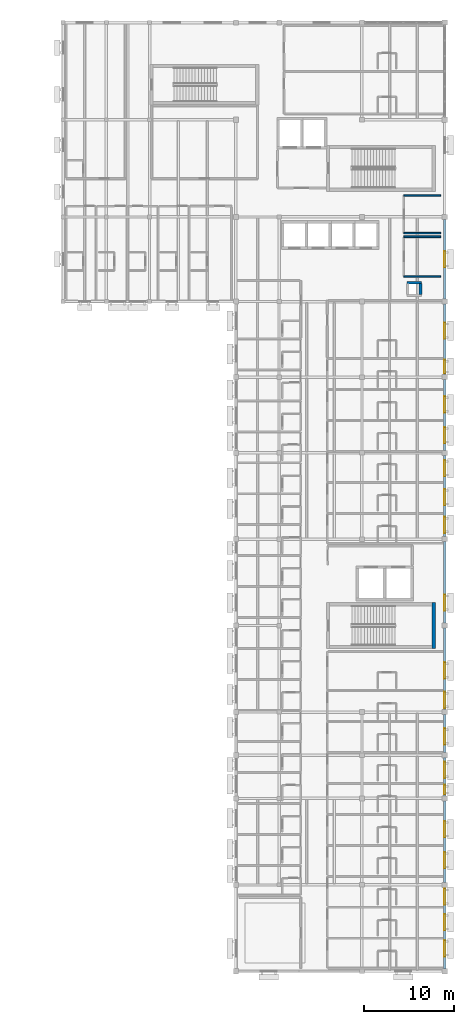
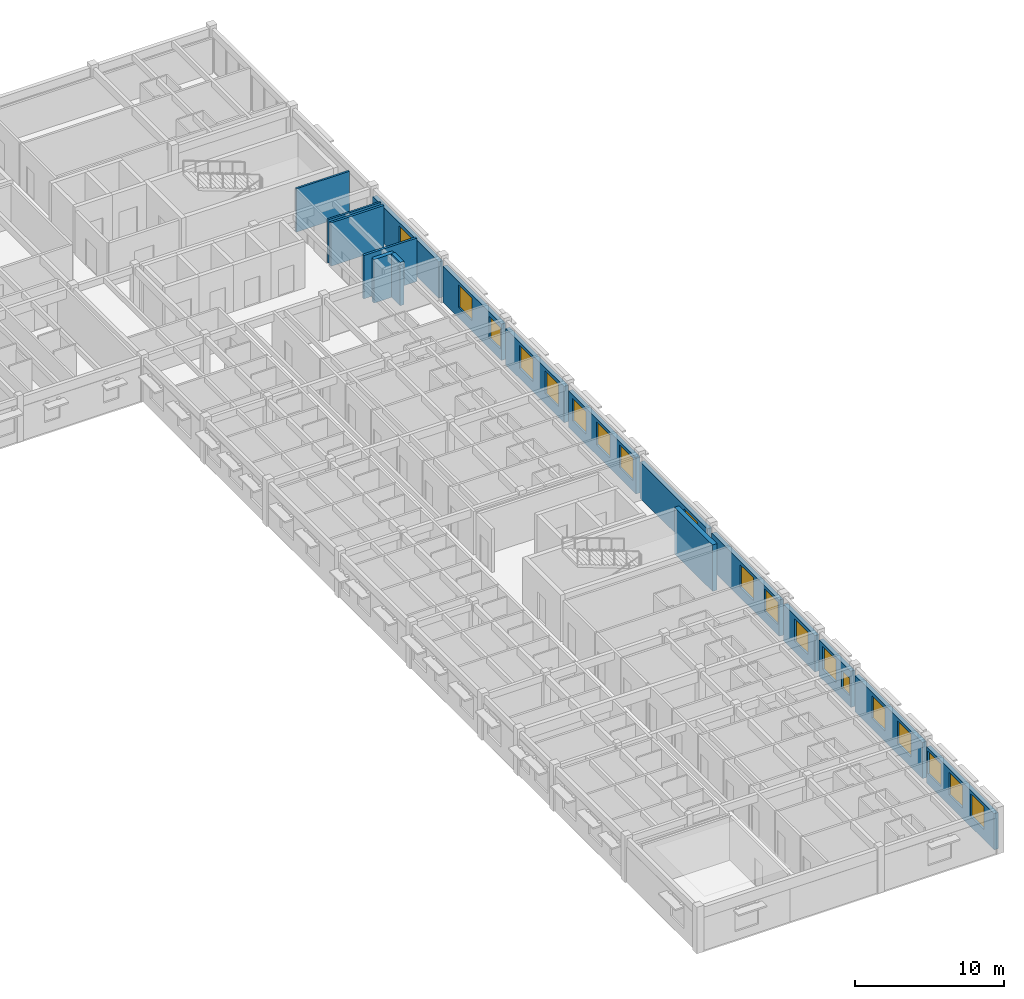
# One storey, part 20 of 31: 19 windows, 17 walls, 19 openings.
"""IFC4 building model written with IfcOpenShell, lengths in metres."""

from ifc_helpers import new_model, si_unit, direction, frame, frame_2d, origin, place, context, subcontext, project, spatial, rectangle, extrude, material, layer, layer_set, type_object, element, fill, save


model = new_model("IFC4")

# Units and contexts
model_context = context("Model", 3, precision=1e-05, world=origin(), true_north=direction((0.0, 1.0)))
body_context = subcontext(model_context, "Body", "Model", "MODEL_VIEW")
ifc_project = project(units=[si_unit("LENGTHUNIT", "METRE"), si_unit("AREAUNIT", "SQUARE_METRE"), si_unit("VOLUMEUNIT", "CUBIC_METRE"), si_unit("PLANEANGLEUNIT", "RADIAN"), si_unit("MASSUNIT", "GRAM", prefix="KILO")], contexts=[model_context])

# Site, building, storey
site_placement = place(None, origin())
site = spatial("IfcSite", under=ifc_project, at=site_placement, CompositionType="ELEMENT")
building_placement = place(site_placement, origin())
building = spatial("IfcBuilding", under=site, at=building_placement, Name="Veldera Park Congress Hotel", CompositionType="ELEMENT")
storey_placement = place(building_placement, frame((0.0, 0.0, 20.0)))
storey = spatial("IfcBuildingStorey", under=building, at=storey_placement, Name="L04", CompositionType="ELEMENT", Elevation=20.0)

# Wall, openings, windows
ifc_material_1 = material(Name="Cross-laminated timber CLT V2M1.1", Category="wood")
ifc_layer_1 = layer(ifc_material_1, 0.320068359375)
ifc_layer_set_1 = layer_set([ifc_layer_1], Name="Cross-laminated timber CLT V2M1.1")
wall_type_1 = type_object("IfcWallType", Name="EW-CLT320", PredefinedType="STANDARD", material=ifc_layer_set_1)
wall_1_placement = place(storey_placement, frame((84.0, -47.1220703125, 0.0), z_axis=(0.0, 0.0, 1.0), x_axis=(0.0, 1.0, 0.0)))
wall_1 = element("IfcWall", 1, at=wall_1_placement, inside=storey, type_object=wall_type_1, Name="L04 Exterior Wall EW3-L04-0245", PredefinedType="STANDARD", context=body_context, shape_type="SweptSolid", body=[
    extrude(rectangle(XDim=9.044189453125, YDim=0.320068359375, at=frame_2d((4.52197265625, 0.0))), origin(), (0.0, 0.0, 1.0), 2.965087890625),
])
opening_1_placement = place(wall_1_placement, frame((1.361083984375, 0.0, 0.85009765625)))
opening_1 = element("IfcOpeningElement", 2, at=opening_1_placement, cuts=wall_1, Name="Opening WIN-1800", PredefinedType="OPENING", context=body_context, shape_type="SweptSolid", body=[
    extrude(rectangle(XDim=1.800048828125, YDim=1.85009765625, at=frame_2d((0.89990234375, 0.925048828125))), frame((0.0, 0.172119140625, 0.0), z_axis=(0.0, -1.0, 0.0), x_axis=(1.0, 0.0, 0.0)), (0.0, 0.0, 1.0), 0.343994140625),
])
opening_2_placement = place(wall_1_placement, frame((4.27197265625, 0.0, 0.85009765625)))
opening_2 = element("IfcOpeningElement", 3, at=opening_2_placement, cuts=wall_1, Name="Opening WIN-1800", PredefinedType="OPENING", context=body_context, shape_type="SweptSolid", body=[
    extrude(rectangle(XDim=1.800048828125, YDim=1.85009765625, at=frame_2d((0.89990234375, 0.925048828125))), frame((0.0, 0.172119140625, 0.0), z_axis=(0.0, -1.0, 0.0), x_axis=(1.0, 0.0, 0.0)), (0.0, 0.0, 1.0), 0.343994140625),
])
opening_3_placement = place(wall_1_placement, frame((7.097900390625, 0.0, 0.85009765625)))
opening_3 = element("IfcOpeningElement", 4, at=opening_3_placement, cuts=wall_1, Name="Opening WIN-1800", PredefinedType="OPENING", context=body_context, shape_type="SweptSolid", body=[
    extrude(rectangle(XDim=1.800048828125, YDim=1.85009765625, at=frame_2d((0.89990234375, 0.925048828125))), frame((0.0, 0.172119140625, 0.0), z_axis=(0.0, -1.0, 0.0), x_axis=(1.0, 0.0, 0.0)), (0.0, 0.0, 1.0), 0.343994140625),
])
ifc_material_2 = material(Name="Low-E Triple Insulating Glass Unit (SHGC 0.22)", Category="glass")
window_type_1 = type_object("IfcWindowType", Name="WIN-1800", PartitioningType="SINGLE_PANEL", PredefinedType="WINDOW", material=ifc_material_2)
window_1_placement = place(opening_1_placement, origin())
window_1 = element("IfcWindow", 5, at=window_1_placement, inside=storey, type_object=window_type_1, Name="L04 Window WIN-1800 201", OverallHeight=1.85009765625, OverallWidth=1.800048828125, PartitioningType="SINGLE_PANEL", PredefinedType="WINDOW", context=body_context, shape_type="SweptSolid", body=[
    extrude(rectangle(XDim=1.800048828125, YDim=1.85009765625, at=frame_2d((0.89990234375, 0.925048828125))), frame((0.0, 0.030029296875, 0.0), z_axis=(0.0, -1.0, 0.0), x_axis=(1.0, 0.0, 0.0)), (0.0, 0.0, 1.0), 0.06005859375),
])
fill(opening_1, window_1)
window_2_placement = place(opening_2_placement, origin())
window_2 = element("IfcWindow", 6, at=window_2_placement, inside=storey, type_object=window_type_1, Name="L04 Window WIN-1800 457", OverallHeight=1.85009765625, OverallWidth=1.800048828125, PartitioningType="SINGLE_PANEL", PredefinedType="WINDOW", context=body_context, shape_type="SweptSolid", body=[
    extrude(rectangle(XDim=1.800048828125, YDim=1.85009765625, at=frame_2d((0.89990234375, 0.925048828125))), frame((0.0, 0.030029296875, 0.0), z_axis=(0.0, -1.0, 0.0), x_axis=(1.0, 0.0, 0.0)), (0.0, 0.0, 1.0), 0.06005859375),
])
fill(opening_2, window_2)
window_3_placement = place(opening_3_placement, origin())
window_3 = element("IfcWindow", 7, at=window_3_placement, inside=storey, type_object=window_type_1, Name="L04 Window WIN-1800 458", OverallHeight=1.85009765625, OverallWidth=1.800048828125, PartitioningType="SINGLE_PANEL", PredefinedType="WINDOW", context=body_context, shape_type="SweptSolid", body=[
    extrude(rectangle(XDim=1.800048828125, YDim=1.85009765625, at=frame_2d((0.89990234375, 0.925048828125))), frame((0.0, 0.030029296875, 0.0), z_axis=(0.0, -1.0, 0.0), x_axis=(1.0, 0.0, 0.0)), (0.0, 0.0, 1.0), 0.06005859375),
])
fill(opening_3, window_3)

wall_2_placement = place(storey_placement, frame((84.0, -37.52197265625, 0.0), z_axis=(0.0, 0.0, 1.0), x_axis=(0.0, 1.0, 0.0)))
wall_2 = element("IfcWall", 8, at=wall_2_placement, inside=storey, type_object=wall_type_1, Name="L04 Exterior Wall EW3-L04-0246", PredefinedType="STANDARD", context=body_context, shape_type="SweptSolid", body=[
    extrude(rectangle(XDim=9.0439453125, YDim=0.320068359375, at=frame_2d((4.52197265625, 0.0))), origin(), (0.0, 0.0, 1.0), 2.965087890625),
])
opening_4_placement = place(wall_2_placement, frame((1.552001953125, 0.0, 0.85009765625)))
opening_4 = element("IfcOpeningElement", 9, at=opening_4_placement, cuts=wall_2, Name="Opening WIN-1800", PredefinedType="OPENING", context=body_context, shape_type="SweptSolid", body=[
    extrude(rectangle(XDim=1.800048828125, YDim=1.85009765625, at=frame_2d((0.89990234375, 0.925048828125))), frame((0.0, 0.172119140625, 0.0), z_axis=(0.0, -1.0, 0.0), x_axis=(1.0, 0.0, 0.0)), (0.0, 0.0, 1.0), 0.343994140625),
])
opening_5_placement = place(wall_2_placement, frame((4.991943359375, 0.0, 0.85009765625)))
opening_5 = element("IfcOpeningElement", 10, at=opening_5_placement, cuts=wall_2, Name="Opening WIN-1800", PredefinedType="OPENING", context=body_context, shape_type="SweptSolid", body=[
    extrude(rectangle(XDim=1.800048828125, YDim=1.85009765625, at=frame_2d((0.89990234375, 0.925048828125))), frame((0.0, 0.172119140625, 0.0), z_axis=(0.0, -1.0, 0.0), x_axis=(1.0, 0.0, 0.0)), (0.0, 0.0, 1.0), 0.343994140625),
])
window_4_placement = place(opening_4_placement, origin())
window_4 = element("IfcWindow", 11, at=window_4_placement, inside=storey, type_object=window_type_1, Name="L04 Window WIN-1800 459", OverallHeight=1.85009765625, OverallWidth=1.800048828125, PartitioningType="SINGLE_PANEL", PredefinedType="WINDOW", context=body_context, shape_type="SweptSolid", body=[
    extrude(rectangle(XDim=1.800048828125, YDim=1.85009765625, at=frame_2d((0.89990234375, 0.925048828125))), frame((0.0, 0.030029296875, 0.0), z_axis=(0.0, -1.0, 0.0), x_axis=(1.0, 0.0, 0.0)), (0.0, 0.0, 1.0), 0.06005859375),
])
fill(opening_4, window_4)
window_5_placement = place(opening_5_placement, origin())
window_5 = element("IfcWindow", 12, at=window_5_placement, inside=storey, type_object=window_type_1, Name="L04 Window WIN-1800 460", OverallHeight=1.85009765625, OverallWidth=1.800048828125, PartitioningType="SINGLE_PANEL", PredefinedType="WINDOW", context=body_context, shape_type="SweptSolid", body=[
    extrude(rectangle(XDim=1.800048828125, YDim=1.85009765625, at=frame_2d((0.89990234375, 0.925048828125))), frame((0.0, 0.030029296875, 0.0), z_axis=(0.0, -1.0, 0.0), x_axis=(1.0, 0.0, 0.0)), (0.0, 0.0, 1.0), 0.06005859375),
])
fill(opening_5, window_5)

wall_3_placement = place(storey_placement, frame((84.0, -27.922119140625, 0.0), z_axis=(0.0, 0.0, 1.0), x_axis=(0.0, 1.0, 0.0)))
wall_3 = element("IfcWall", 13, at=wall_3_placement, inside=storey, type_object=wall_type_1, Name="L04 Exterior Wall EW3-L04-0247", PredefinedType="STANDARD", context=body_context, shape_type="SweptSolid", body=[
    extrude(rectangle(XDim=4.244140625, YDim=0.320068359375, at=frame_2d((2.1220703125, 0.0))), origin(), (0.0, 0.0, 1.0), 2.965087890625),
])
opening_6_placement = place(wall_3_placement, frame((0.1708984375, 0.0, 0.85009765625)))
opening_6 = element("IfcOpeningElement", 14, at=opening_6_placement, cuts=wall_3, Name="Opening WIN-1050", PredefinedType="OPENING", context=body_context, shape_type="SweptSolid", body=[
    extrude(rectangle(XDim=1.050048828125, YDim=1.449951171875, at=frame_2d((0.52490234375, 0.72509765625))), frame((0.0, 0.172119140625, 0.0), z_axis=(0.0, -1.0, 0.0), x_axis=(1.0, 0.0, 0.0)), (0.0, 0.0, 1.0), 0.343994140625),
])
opening_7_placement = place(wall_3_placement, frame((1.97802734375, 0.0, 0.85009765625)))
opening_7 = element("IfcOpeningElement", 15, at=opening_7_placement, cuts=wall_3, Name="Opening WIN-1800", PredefinedType="OPENING", context=body_context, shape_type="SweptSolid", body=[
    extrude(rectangle(XDim=1.800048828125, YDim=1.85009765625, at=frame_2d((0.89990234375, 0.925048828125))), frame((0.0, 0.172119140625, 0.0), z_axis=(0.0, -1.0, 0.0), x_axis=(1.0, 0.0, 0.0)), (0.0, 0.0, 1.0), 0.343994140625),
])
window_type_2 = type_object("IfcWindowType", Name="WIN-1050", PartitioningType="SINGLE_PANEL", PredefinedType="WINDOW", material=ifc_material_2)
window_6_placement = place(opening_6_placement, origin())
window_6 = element("IfcWindow", 16, at=window_6_placement, inside=storey, type_object=window_type_2, Name="L04 Window WIN-1050 461", OverallHeight=1.449951171875, OverallWidth=1.050048828125, PartitioningType="SINGLE_PANEL", PredefinedType="WINDOW", context=body_context, shape_type="SweptSolid", body=[
    extrude(rectangle(XDim=1.050048828125, YDim=1.449951171875, at=frame_2d((0.52490234375, 0.72509765625))), frame((0.0, 0.030029296875, 0.0), z_axis=(0.0, -1.0, 0.0), x_axis=(1.0, 0.0, 0.0)), (0.0, 0.0, 1.0), 0.06005859375),
])
fill(opening_6, window_6)
window_7_placement = place(opening_7_placement, origin())
window_7 = element("IfcWindow", 17, at=window_7_placement, inside=storey, type_object=window_type_1, Name="L04 Window WIN-1800 462", OverallHeight=1.85009765625, OverallWidth=1.800048828125, PartitioningType="SINGLE_PANEL", PredefinedType="WINDOW", context=body_context, shape_type="SweptSolid", body=[
    extrude(rectangle(XDim=1.800048828125, YDim=1.85009765625, at=frame_2d((0.89990234375, 0.925048828125))), frame((0.0, 0.030029296875, 0.0), z_axis=(0.0, -1.0, 0.0), x_axis=(1.0, 0.0, 0.0)), (0.0, 0.0, 1.0), 0.06005859375),
])
fill(opening_7, window_7)

# Wall, opening, window
wall_4_placement = place(storey_placement, frame((84.0, -23.1220703125, 0.0), z_axis=(0.0, 0.0, 1.0), x_axis=(0.0, 1.0, 0.0)))
wall_4 = element("IfcWall", 18, at=wall_4_placement, inside=storey, type_object=wall_type_1, Name="L04 Exterior Wall EW3-L04-0248", PredefinedType="STANDARD", context=body_context, shape_type="SweptSolid", body=[
    extrude(rectangle(XDim=4.244140625, YDim=0.320068359375, at=frame_2d((2.1220703125, 0.0))), origin(), (0.0, 0.0, 1.0), 2.965087890625),
])
opening_8_placement = place(wall_4_placement, frame((0.912109375, 0.0, 0.85009765625)))
opening_8 = element("IfcOpeningElement", 19, at=opening_8_placement, cuts=wall_4, Name="Opening WIN-1800", PredefinedType="OPENING", context=body_context, shape_type="SweptSolid", body=[
    extrude(rectangle(XDim=1.800048828125, YDim=1.85009765625, at=frame_2d((0.89990234375, 0.925048828125))), frame((0.0, 0.172119140625, 0.0), z_axis=(0.0, -1.0, 0.0), x_axis=(1.0, 0.0, 0.0)), (0.0, 0.0, 1.0), 0.343994140625),
])
window_8_placement = place(opening_8_placement, origin())
window_8 = element("IfcWindow", 20, at=window_8_placement, inside=storey, type_object=window_type_1, Name="L04 Window WIN-1800 463", OverallHeight=1.85009765625, OverallWidth=1.800048828125, PartitioningType="SINGLE_PANEL", PredefinedType="WINDOW", context=body_context, shape_type="SweptSolid", body=[
    extrude(rectangle(XDim=1.800048828125, YDim=1.85009765625, at=frame_2d((0.89990234375, 0.925048828125))), frame((0.0, 0.030029296875, 0.0), z_axis=(0.0, -1.0, 0.0), x_axis=(1.0, 0.0, 0.0)), (0.0, 0.0, 1.0), 0.06005859375),
])
fill(opening_8, window_8)

# Wall, openings, windows
wall_5_placement = place(storey_placement, frame((84.0, -18.322021484375, 0.0), z_axis=(0.0, 0.0, 1.0), x_axis=(0.0, 1.0, 0.0)))
wall_5 = element("IfcWall", 21, at=wall_5_placement, inside=storey, type_object=wall_type_1, Name="L04 Exterior Wall EW3-L04-0249", PredefinedType="STANDARD", context=body_context, shape_type="SweptSolid", body=[
    extrude(rectangle(XDim=9.0439453125, YDim=0.320068359375, at=frame_2d((4.52197265625, 0.0))), origin(), (0.0, 0.0, 1.0), 2.965087890625),
])
opening_9_placement = place(wall_5_placement, frame((0.156005859375, 0.0, 0.85009765625)))
opening_9 = element("IfcOpeningElement", 22, at=opening_9_placement, cuts=wall_5, Name="Opening WIN-1800", PredefinedType="OPENING", context=body_context, shape_type="SweptSolid", body=[
    extrude(rectangle(XDim=1.800048828125, YDim=1.85009765625, at=frame_2d((0.89990234375, 0.925048828125))), frame((0.0, 0.172119140625, 0.0), z_axis=(0.0, -1.0, 0.0), x_axis=(1.0, 0.0, 0.0)), (0.0, 0.0, 1.0), 0.343994140625),
])
opening_10_placement = place(wall_5_placement, frame((3.44189453125, 0.0, 0.85009765625)))
opening_10 = element("IfcOpeningElement", 23, at=opening_10_placement, cuts=wall_5, Name="Opening WIN-1800", PredefinedType="OPENING", context=body_context, shape_type="SweptSolid", body=[
    extrude(rectangle(XDim=1.800048828125, YDim=1.85009765625, at=frame_2d((0.89990234375, 0.925048828125))), frame((0.0, 0.172119140625, 0.0), z_axis=(0.0, -1.0, 0.0), x_axis=(1.0, 0.0, 0.0)), (0.0, 0.0, 1.0), 0.343994140625),
])
window_9_placement = place(opening_9_placement, origin())
window_9 = element("IfcWindow", 24, at=window_9_placement, inside=storey, type_object=window_type_1, Name="L04 Window WIN-1800 464", OverallHeight=1.85009765625, OverallWidth=1.800048828125, PartitioningType="SINGLE_PANEL", PredefinedType="WINDOW", context=body_context, shape_type="SweptSolid", body=[
    extrude(rectangle(XDim=1.800048828125, YDim=1.85009765625, at=frame_2d((0.89990234375, 0.925048828125))), frame((0.0, 0.030029296875, 0.0), z_axis=(0.0, -1.0, 0.0), x_axis=(1.0, 0.0, 0.0)), (0.0, 0.0, 1.0), 0.06005859375),
])
fill(opening_9, window_9)
window_10_placement = place(opening_10_placement, origin())
window_10 = element("IfcWindow", 25, at=window_10_placement, inside=storey, type_object=window_type_1, Name="L04 Window WIN-1800 465", OverallHeight=1.85009765625, OverallWidth=1.800048828125, PartitioningType="SINGLE_PANEL", PredefinedType="WINDOW", context=body_context, shape_type="SweptSolid", body=[
    extrude(rectangle(XDim=1.800048828125, YDim=1.85009765625, at=frame_2d((0.89990234375, 0.925048828125))), frame((0.0, 0.030029296875, 0.0), z_axis=(0.0, -1.0, 0.0), x_axis=(1.0, 0.0, 0.0)), (0.0, 0.0, 1.0), 0.06005859375),
])
fill(opening_10, window_10)

# Wall, opening, window
wall_6_placement = place(storey_placement, frame((84.0, -8.721923828125, 0.0), z_axis=(0.0, 0.0, 1.0), x_axis=(0.0, 1.0, 0.0)))
wall_6 = element("IfcWall", 26, at=wall_6_placement, inside=storey, type_object=wall_type_1, Name="L04 Exterior Wall EW3-L04-0250", PredefinedType="STANDARD", context=body_context, shape_type="SweptSolid", body=[
    extrude(rectangle(XDim=9.0439453125, YDim=0.320068359375, at=frame_2d((4.52197265625, 0.0))), origin(), (0.0, 0.0, 1.0), 2.965087890625),
])
opening_11_placement = place(wall_6_placement, frame((1.361083984375, 0.0, 0.85009765625)))
opening_11 = element("IfcOpeningElement", 27, at=opening_11_placement, cuts=wall_6, Name="Opening WIN-1800", PredefinedType="OPENING", context=body_context, shape_type="SweptSolid", body=[
    extrude(rectangle(XDim=1.800048828125, YDim=1.85009765625, at=frame_2d((0.89990234375, 0.925048828125))), frame((0.0, 0.172119140625, 0.0), z_axis=(0.0, -1.0, 0.0), x_axis=(1.0, 0.0, 0.0)), (0.0, 0.0, 1.0), 0.343994140625),
])
window_11_placement = place(opening_11_placement, origin())
window_11 = element("IfcWindow", 28, at=window_11_placement, inside=storey, type_object=window_type_1, Name="L04 Window WIN-1800 202", OverallHeight=1.85009765625, OverallWidth=1.800048828125, PartitioningType="SINGLE_PANEL", PredefinedType="WINDOW", context=body_context, shape_type="SweptSolid", body=[
    extrude(rectangle(XDim=1.800048828125, YDim=1.85009765625, at=frame_2d((0.89990234375, 0.925048828125))), frame((0.0, 0.030029296875, 0.0), z_axis=(0.0, -1.0, 0.0), x_axis=(1.0, 0.0, 0.0)), (0.0, 0.0, 1.0), 0.06005859375),
])
fill(opening_11, window_11)

# Wall, openings, windows
wall_7_placement = place(storey_placement, frame((84.0, 0.8779296875, 0.0), z_axis=(0.0, 0.0, 1.0), x_axis=(0.0, 1.0, 0.0)))
wall_7 = element("IfcWall", 29, at=wall_7_placement, inside=storey, type_object=wall_type_1, Name="L04 Exterior Wall EW3-L04-0251", PredefinedType="STANDARD", context=body_context, shape_type="SweptSolid", body=[
    extrude(rectangle(XDim=9.044189453125, YDim=0.320068359375, at=frame_2d((4.52197265625, 0.0))), origin(), (0.0, 0.0, 1.0), 2.965087890625),
])
opening_12_placement = place(wall_7_placement, frame((0.39599609375, 0.0, 0.85009765625)))
opening_12 = element("IfcOpeningElement", 30, at=opening_12_placement, cuts=wall_7, Name="Opening WIN-1800", PredefinedType="OPENING", context=body_context, shape_type="SweptSolid", body=[
    extrude(rectangle(XDim=1.800048828125, YDim=1.85009765625, at=frame_2d((0.89990234375, 0.925048828125))), frame((0.0, 0.172119140625, 0.0), z_axis=(0.0, -1.0, 0.0), x_axis=(1.0, 0.0, 0.0)), (0.0, 0.0, 1.0), 0.343994140625),
])
opening_13_placement = place(wall_7_placement, frame((3.471923828125, 0.0, 0.85009765625)))
opening_13 = element("IfcOpeningElement", 31, at=opening_13_placement, cuts=wall_7, Name="Opening WIN-1800", PredefinedType="OPENING", context=body_context, shape_type="SweptSolid", body=[
    extrude(rectangle(XDim=1.800048828125, YDim=1.85009765625, at=frame_2d((0.89990234375, 0.925048828125))), frame((0.0, 0.172119140625, 0.0), z_axis=(0.0, -1.0, 0.0), x_axis=(1.0, 0.0, 0.0)), (0.0, 0.0, 1.0), 0.343994140625),
])
opening_14_placement = place(wall_7_placement, frame((6.697998046875, 0.0, 0.85009765625)))
opening_14 = element("IfcOpeningElement", 32, at=opening_14_placement, cuts=wall_7, Name="Opening WIN-1800", PredefinedType="OPENING", context=body_context, shape_type="SweptSolid", body=[
    extrude(rectangle(XDim=1.800048828125, YDim=1.85009765625, at=frame_2d((0.89990234375, 0.925048828125))), frame((0.0, 0.172119140625, 0.0), z_axis=(0.0, -1.0, 0.0), x_axis=(1.0, 0.0, 0.0)), (0.0, 0.0, 1.0), 0.343994140625),
])
window_12_placement = place(opening_12_placement, origin())
window_12 = element("IfcWindow", 33, at=window_12_placement, inside=storey, type_object=window_type_1, Name="L04 Window WIN-1800 466", OverallHeight=1.85009765625, OverallWidth=1.800048828125, PartitioningType="SINGLE_PANEL", PredefinedType="WINDOW", context=body_context, shape_type="SweptSolid", body=[
    extrude(rectangle(XDim=1.800048828125, YDim=1.85009765625, at=frame_2d((0.89990234375, 0.925048828125))), frame((0.0, 0.030029296875, 0.0), z_axis=(0.0, -1.0, 0.0), x_axis=(1.0, 0.0, 0.0)), (0.0, 0.0, 1.0), 0.06005859375),
])
fill(opening_12, window_12)
window_13_placement = place(opening_13_placement, origin())
window_13 = element("IfcWindow", 34, at=window_13_placement, inside=storey, type_object=window_type_1, Name="L04 Window WIN-1800 467", OverallHeight=1.85009765625, OverallWidth=1.800048828125, PartitioningType="SINGLE_PANEL", PredefinedType="WINDOW", context=body_context, shape_type="SweptSolid", body=[
    extrude(rectangle(XDim=1.800048828125, YDim=1.85009765625, at=frame_2d((0.89990234375, 0.925048828125))), frame((0.0, 0.030029296875, 0.0), z_axis=(0.0, -1.0, 0.0), x_axis=(1.0, 0.0, 0.0)), (0.0, 0.0, 1.0), 0.06005859375),
])
fill(opening_13, window_13)
window_14_placement = place(opening_14_placement, origin())
window_14 = element("IfcWindow", 35, at=window_14_placement, inside=storey, type_object=window_type_1, Name="L04 Window WIN-1800 468", OverallHeight=1.85009765625, OverallWidth=1.800048828125, PartitioningType="SINGLE_PANEL", PredefinedType="WINDOW", context=body_context, shape_type="SweptSolid", body=[
    extrude(rectangle(XDim=1.800048828125, YDim=1.85009765625, at=frame_2d((0.89990234375, 0.925048828125))), frame((0.0, 0.030029296875, 0.0), z_axis=(0.0, -1.0, 0.0), x_axis=(1.0, 0.0, 0.0)), (0.0, 0.0, 1.0), 0.06005859375),
])
fill(opening_14, window_14)

wall_8_placement = place(storey_placement, frame((84.0, 10.47802734375, 0.0), z_axis=(0.0, 0.0, 1.0), x_axis=(0.0, 1.0, 0.0)))
wall_8 = element("IfcWall", 36, at=wall_8_placement, inside=storey, type_object=wall_type_1, Name="L04 Exterior Wall EW3-L04-0252", PredefinedType="STANDARD", context=body_context, shape_type="SweptSolid", body=[
    extrude(rectangle(XDim=7.843994140625, YDim=0.320068359375, at=frame_2d((3.921875, 0.0))), origin(), (0.0, 0.0, 1.0), 2.965087890625),
])
opening_15_placement = place(wall_8_placement, frame((0.756103515625, 0.0, 0.85009765625)))
opening_15 = element("IfcOpeningElement", 37, at=opening_15_placement, cuts=wall_8, Name="Opening WIN-1800", PredefinedType="OPENING", context=body_context, shape_type="SweptSolid", body=[
    extrude(rectangle(XDim=1.800048828125, YDim=1.85009765625, at=frame_2d((0.89990234375, 0.925048828125))), frame((0.0, 0.172119140625, 0.0), z_axis=(0.0, -1.0, 0.0), x_axis=(1.0, 0.0, 0.0)), (0.0, 0.0, 1.0), 0.343994140625),
])
opening_16_placement = place(wall_8_placement, frame((4.19189453125, 0.0, 0.85009765625)))
opening_16 = element("IfcOpeningElement", 38, at=opening_16_placement, cuts=wall_8, Name="Opening WIN-1800", PredefinedType="OPENING", context=body_context, shape_type="SweptSolid", body=[
    extrude(rectangle(XDim=1.800048828125, YDim=1.85009765625, at=frame_2d((0.89990234375, 0.925048828125))), frame((0.0, 0.172119140625, 0.0), z_axis=(0.0, -1.0, 0.0), x_axis=(1.0, 0.0, 0.0)), (0.0, 0.0, 1.0), 0.343994140625),
])
window_15_placement = place(opening_15_placement, origin())
window_15 = element("IfcWindow", 39, at=window_15_placement, inside=storey, type_object=window_type_1, Name="L04 Window WIN-1800 469", OverallHeight=1.85009765625, OverallWidth=1.800048828125, PartitioningType="SINGLE_PANEL", PredefinedType="WINDOW", context=body_context, shape_type="SweptSolid", body=[
    extrude(rectangle(XDim=1.800048828125, YDim=1.85009765625, at=frame_2d((0.89990234375, 0.925048828125))), frame((0.0, 0.030029296875, 0.0), z_axis=(0.0, -1.0, 0.0), x_axis=(1.0, 0.0, 0.0)), (0.0, 0.0, 1.0), 0.06005859375),
])
fill(opening_15, window_15)
window_16_placement = place(opening_16_placement, origin())
window_16 = element("IfcWindow", 40, at=window_16_placement, inside=storey, type_object=window_type_1, Name="L04 Window WIN-1800 470", OverallHeight=1.85009765625, OverallWidth=1.800048828125, PartitioningType="SINGLE_PANEL", PredefinedType="WINDOW", context=body_context, shape_type="SweptSolid", body=[
    extrude(rectangle(XDim=1.800048828125, YDim=1.85009765625, at=frame_2d((0.89990234375, 0.925048828125))), frame((0.0, 0.030029296875, 0.0), z_axis=(0.0, -1.0, 0.0), x_axis=(1.0, 0.0, 0.0)), (0.0, 0.0, 1.0), 0.06005859375),
])
fill(opening_16, window_16)

wall_9_placement = place(storey_placement, frame((84.0, 18.8779296875, 0.0), z_axis=(0.0, 0.0, 1.0), x_axis=(0.0, 1.0, 0.0)))
wall_9 = element("IfcWall", 41, at=wall_9_placement, inside=storey, type_object=wall_type_1, Name="L04 Exterior Wall EW3-L04-0253", PredefinedType="STANDARD", context=body_context, shape_type="SweptSolid", body=[
    extrude(rectangle(XDim=7.843994140625, YDim=0.320068359375, at=frame_2d((3.921875, 0.0))), origin(), (0.0, 0.0, 1.0), 2.965087890625),
])
opening_17_placement = place(wall_9_placement, frame((0.14599609375, 0.0, 0.85009765625)))
opening_17 = element("IfcOpeningElement", 42, at=opening_17_placement, cuts=wall_9, Name="Opening WIN-1500", PredefinedType="OPENING", context=body_context, shape_type="SweptSolid", body=[
    extrude(rectangle(XDim=1.5, YDim=1.75, at=frame_2d((0.75, 0.875))), frame((0.0, 0.172119140625, 0.0), z_axis=(0.0, -1.0, 0.0), x_axis=(1.0, 0.0, 0.0)), (0.0, 0.0, 1.0), 0.343994140625),
])
opening_18_placement = place(wall_9_placement, frame((3.97802734375, 0.0, 0.85009765625)))
opening_18 = element("IfcOpeningElement", 43, at=opening_18_placement, cuts=wall_9, Name="Opening WIN-1800", PredefinedType="OPENING", context=body_context, shape_type="SweptSolid", body=[
    extrude(rectangle(XDim=1.800048828125, YDim=1.85009765625, at=frame_2d((0.89990234375, 0.925048828125))), frame((0.0, 0.172119140625, 0.0), z_axis=(0.0, -1.0, 0.0), x_axis=(1.0, 0.0, 0.0)), (0.0, 0.0, 1.0), 0.343994140625),
])
window_type_3 = type_object("IfcWindowType", Name="WIN-1500", PartitioningType="SINGLE_PANEL", PredefinedType="WINDOW", material=ifc_material_2)
window_17_placement = place(opening_17_placement, origin())
window_17 = element("IfcWindow", 44, at=window_17_placement, inside=storey, type_object=window_type_3, Name="L04 Window WIN-1500 471", OverallHeight=1.75, OverallWidth=1.5, PartitioningType="SINGLE_PANEL", PredefinedType="WINDOW", context=body_context, shape_type="SweptSolid", body=[
    extrude(rectangle(XDim=1.5, YDim=1.75, at=frame_2d((0.75, 0.875))), frame((0.0, 0.030029296875, 0.0), z_axis=(0.0, -1.0, 0.0), x_axis=(1.0, 0.0, 0.0)), (0.0, 0.0, 1.0), 0.06005859375),
])
fill(opening_17, window_17)
window_18_placement = place(opening_18_placement, origin())
window_18 = element("IfcWindow", 45, at=window_18_placement, inside=storey, type_object=window_type_1, Name="L04 Window WIN-1800 472", OverallHeight=1.85009765625, OverallWidth=1.800048828125, PartitioningType="SINGLE_PANEL", PredefinedType="WINDOW", context=body_context, shape_type="SweptSolid", body=[
    extrude(rectangle(XDim=1.800048828125, YDim=1.85009765625, at=frame_2d((0.89990234375, 0.925048828125))), frame((0.0, 0.030029296875, 0.0), z_axis=(0.0, -1.0, 0.0), x_axis=(1.0, 0.0, 0.0)), (0.0, 0.0, 1.0), 0.06005859375),
])
fill(opening_18, window_18)

# Wall, opening, window
wall_10_placement = place(storey_placement, frame((84.0, 27.278076171875, 0.0), z_axis=(0.0, 0.0, 1.0), x_axis=(0.0, 1.0, 0.0)))
wall_10 = element("IfcWall", 46, at=wall_10_placement, inside=storey, type_object=wall_type_1, Name="L04 Exterior Wall EW3-L04-0254", PredefinedType="STANDARD", context=body_context, shape_type="SweptSolid", body=[
    extrude(rectangle(XDim=8.843994140625, YDim=0.320068359375, at=frame_2d((4.421875, 0.0))), origin(), (0.0, 0.0, 1.0), 2.965087890625),
])
opening_19_placement = place(wall_10_placement, frame((3.52197265625, 0.0, 0.85009765625)))
opening_19 = element("IfcOpeningElement", 47, at=opening_19_placement, cuts=wall_10, Name="Opening WIN-1800", PredefinedType="OPENING", context=body_context, shape_type="SweptSolid", body=[
    extrude(rectangle(XDim=1.800048828125, YDim=1.85009765625, at=frame_2d((0.89990234375, 0.925048828125))), frame((0.0, 0.172119140625, 0.0), z_axis=(0.0, -1.0, 0.0), x_axis=(1.0, 0.0, 0.0)), (0.0, 0.0, 1.0), 0.343994140625),
])
window_19_placement = place(opening_19_placement, origin())
window_19 = element("IfcWindow", 48, at=window_19_placement, inside=storey, type_object=window_type_1, Name="L04 Window WIN-1800 203", OverallHeight=1.85009765625, OverallWidth=1.800048828125, PartitioningType="SINGLE_PANEL", PredefinedType="WINDOW", context=body_context, shape_type="SweptSolid", body=[
    extrude(rectangle(XDim=1.800048828125, YDim=1.85009765625, at=frame_2d((0.89990234375, 0.925048828125))), frame((0.0, 0.030029296875, 0.0), z_axis=(0.0, -1.0, 0.0), x_axis=(1.0, 0.0, 0.0)), (0.0, 0.0, 1.0), 0.06005859375),
])
fill(opening_19, window_19)

# Walls
ifc_material_3 = material(Name="Fire-Rated Gypsum Board on Cold-Formed Steel Studs", Category="steel")
ifc_layer_2 = layer(ifc_material_3, 0.179931640625)
ifc_layer_set_2 = layer_set([ifc_layer_2], Name="Fire-Rated Gypsum Board on Cold-Formed Steel Studs")
wall_type_2 = type_object("IfcWallType", Name="IW-CORR180", PredefinedType="PARTITIONING", material=ifc_layer_set_2)
for number, where, z_axis, x_axis, name in (
    (49, (79.449951171875, 29.800048828125, 0.0), (0.0, 0.0, 1.0), (1.0, 0.0, 0.0), "L04 Partition Wall IW3-L04-00239"),
    (50, (83.550048828125, 34.199951171875, 0.0), (0.0, 0.0, 1.0), (-1.0, 0.0, 0.0), "L04 Partition Wall IW3-L04-00240"),
):
    element("IfcWall", number, at=place(storey_placement, frame(where, z_axis=z_axis, x_axis=x_axis)), inside=storey, type_object=wall_type_2, Name=name, PredefinedType="PARTITIONING", context=body_context, shape_type="SweptSolid", body=[
        extrude(rectangle(XDim=4.10009765625, YDim=0.179931640625, at=frame_2d((2.050048828125, 0.0))), origin(), (0.0, 0.0, 1.0), 3.550048828125),
    ])
ifc_layer_3 = layer(ifc_material_3, 0.14990234375)
ifc_layer_set_3 = layer_set([ifc_layer_3], Name="Fire-Rated Gypsum Board on Cold-Formed Steel Studs")
wall_type_3 = type_object("IfcWallType", Name="IW-PLMB150", PredefinedType="PLUMBINGWALL", material=ifc_layer_set_3)
for number, where, z_axis, x_axis, name in (
    (51, (79.449951171875, 34.60009765625, 0.0), (0.0, 0.0, 1.0), (1.0, 0.0, 0.0), "L04 Partition Wall IW3-L04-00242"),
    (52, (83.550048828125, 38.800048828125, 0.0), (0.0, 0.0, 1.0), (-1.0, 0.0, 0.0), "L04 Partition Wall IW3-L04-00243"),
):
    element("IfcWall", number, at=place(storey_placement, frame(where, z_axis=z_axis, x_axis=x_axis)), inside=storey, type_object=wall_type_3, Name=name, PredefinedType="PLUMBINGWALL", context=body_context, shape_type="SweptSolid", body=[
        extrude(rectangle(XDim=4.10009765625, YDim=0.14990234375, at=frame_2d((2.050048828125, 0.0))), origin(), (0.0, 0.0, 1.0), 3.550048828125),
    ])
ifc_material_4 = material(Name="Concrete f'c 40 MPa (5,800 psi)", Category="concrete")
ifc_layer_4 = layer(ifc_material_4, 0.35009765625)
ifc_layer_set_4 = layer_set([ifc_layer_4], Name="Concrete f'c 40 MPa (5,800 psi)")
wall_type_4 = type_object("IfcWallType", Name="SW-CORE350", PredefinedType="SHEAR", material=ifc_layer_set_4)
wall_11_placement = place(storey_placement, frame((82.77490234375, -11.550048828125, 0.0), z_axis=(0.0, 0.0, 1.0), x_axis=(0.0, 1.0, 0.0)))
element("IfcWall", 53, at=wall_11_placement, inside=storey, type_object=wall_type_4, Name="Stair ST2 Core Wall L04-E", PredefinedType="SHEAR", context=body_context, shape_type="SweptSolid", body=[
    extrude(rectangle(XDim=5.10009765625, YDim=0.35009765625, at=frame_2d((2.550048828125, 0.0))), origin(), (0.0, 0.0, 1.0), 3.800048828125),
])
ifc_layer_5 = layer(ifc_material_4, 0.300048828125)
ifc_layer_set_5 = layer_set([ifc_layer_5], Name="Concrete f'c 40 MPa (5,800 psi)")
wall_type_5 = type_object("IfcWallType", Name="SW-SHFT300", PredefinedType="SHEAR", material=ifc_layer_set_5)
wall_12_placement = place(storey_placement, frame((81.39990234375, 29.10009765625, 0.0), z_axis=(0.0, 0.0, 1.0), x_axis=(-1.0, 0.0, 0.0)))
element("IfcWall", 54, at=wall_12_placement, inside=storey, type_object=wall_type_5, Name="MEP Riser Shaft Wall L04-N", PredefinedType="SHEAR", context=body_context, shape_type="SweptSolid", body=[
    extrude(rectangle(XDim=1.599853515625, YDim=0.300048828125, at=frame_2d((0.7998046875, 0.0))), origin(), (0.0, 0.0, 1.0), 3.550048828125),
])
wall_13_placement = place(storey_placement, frame((81.300048828125, 27.800048828125, 0.0), z_axis=(0.0, 0.0, 1.0), x_axis=(0.0, 1.0, 0.0)))
element("IfcWall", 55, at=wall_13_placement, inside=storey, type_object=wall_type_5, Name="MEP Riser Shaft Wall L04-E", PredefinedType="SHEAR", context=body_context, shape_type="SweptSolid", body=[
    extrude(rectangle(XDim=1.199951171875, YDim=0.300048828125, at=frame_2d((0.60009765625, 0.0))), origin(), (0.0, 0.0, 1.0), 3.550048828125),
])

save(model, "model.ifc")
